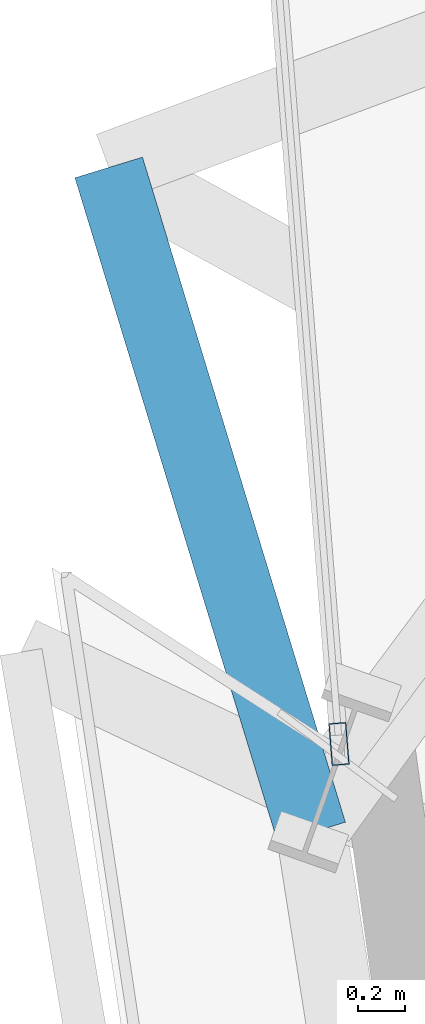
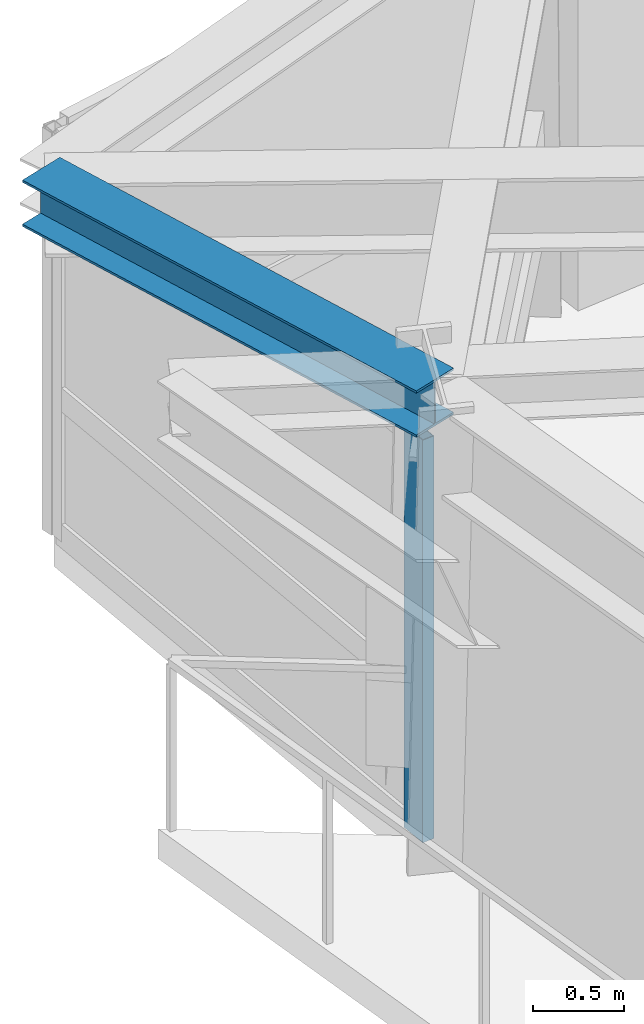
# One storey, part 6 of 18: 1 beam, 1 member, 1 element without a shape of its own.
"""IFC4 building model written with IfcOpenShell, lengths in metres."""

from ifc_helpers import new_model, si_unit, direction, frame, origin, origin_2d, place, context, subcontext, project, spatial, hollow_rectangle, i_section, extrude, source, transform, mapped, material, material_profile, profile_set, type_object, element, aggregate, save


model = new_model("IFC4")

# Units and contexts
model_context = context("Model", 3, precision=1e-05, world=origin(), true_north=direction((0.0, 1.0)))
body_context = subcontext(model_context, "Body", "Model", "MODEL_VIEW")
ifc_project = project(units=[si_unit("LENGTHUNIT", "METRE"), si_unit("AREAUNIT", "SQUARE_METRE"), si_unit("VOLUMEUNIT", "CUBIC_METRE"), si_unit("PLANEANGLEUNIT", "RADIAN"), si_unit("MASSUNIT", "GRAM", prefix="KILO")], contexts=[model_context])

# Site, building, storey
site_placement = place(None, origin())
site = spatial("IfcSite", under=ifc_project, at=site_placement, CompositionType="ELEMENT")
building_placement = place(site_placement, origin())
building = spatial("IfcBuilding", under=site, at=building_placement, Name="Olszyna Solenne Hotel", CompositionType="ELEMENT")
storey_placement = place(building_placement, frame((0.0, 0.0, 119.89990234375)))
storey = spatial("IfcBuildingStorey", under=building, at=storey_placement, Name="L31", CompositionType="ELEMENT", Elevation=119.89990234375)

# Beam
ifc_material_1 = material(Name="Steel S355J2", Category="steel")
ifc_material_profile_1 = material_profile(ifc_material_1, i_section(OverallWidth=0.300048828125, OverallDepth=0.31005859375, WebThickness=0.009033203125, FlangeThickness=0.015380859375, at=origin_2d()), Name="HEA 320", Category="load-bearing")
ifc_profile_set_1 = profile_set([ifc_material_profile_1], Name="Steel S355J2")
beam_type = type_object("IfcBeamType", Name="BM-G3", PredefinedType="BEAM", material=ifc_profile_set_1)
shared_shape_1 = source(origin(), body_context, "Body", "SweptSolid", [
    extrude(i_section(OverallWidth=0.300048828125, OverallDepth=0.31005859375, WebThickness=0.009033203125, FlangeThickness=0.015380859375, at=origin_2d()), origin(), (0.0, 0.0, 1.0), 2.95166015625),
])
beam_placement = place(storey_placement, frame((15.970703125, 36.841552734375, 3.14501953125), z_axis=(-0.29180664309, 0.956477330128, 0.0), x_axis=(-0.956477330128, -0.29180664309, 0.0)))
element("IfcBeam", 1, at=beam_placement, inside=storey, type_object=beam_type, Name="Prism side edge beam BM-G3 B-L31-0949", PredefinedType="BEAM", context=body_context, shape_type="MappedRepresentation", body=[
    mapped(shared_shape_1, transform((0.0, 0.0, 0.0), x_axis=(1.0, 0.0, 0.0), y_axis=(0.0, 1.0, 0.0), z_axis=(0.0, 0.0, 1.0), scale=1.0)),
])

# Curtain wall, member
ifc_material_2 = material(Name="Anodised bronze aluminium", Category="aluminium")
curtain_wall_type = type_object("IfcCurtainWallType", Name="CW-SYS-5", PredefinedType="NOTDEFINED", material=ifc_material_2)
curtain_wall_placement = place(storey_placement, origin())
curtain_wall = element("IfcCurtainWall", 2, at=curtain_wall_placement, inside=storey, type_object=curtain_wall_type, Name="Unitised curtain wall CW-SYS-5 CW-L31-02", PredefinedType="NOTDEFINED")
ifc_material_profile_2 = material_profile(ifc_material_2, hollow_rectangle(XDim=0.074951171875, YDim=0.179931640625, WallThickness=0.00439453125, at=origin_2d()), Name="MULL 180x75x4.5", Category="load-bearing")
ifc_profile_set_2 = profile_set([ifc_material_profile_2], Name="Anodised bronze aluminium")
member_type = type_object("IfcMemberType", Name="CW-M2", PredefinedType="MULLION", material=ifc_profile_set_2)
shared_shape_2 = source(origin(), body_context, "Body", "SweptSolid", [
    extrude(hollow_rectangle(XDim=0.074951171875, YDim=0.179931640625, WallThickness=0.00439453125, at=origin_2d()), origin(), (0.0, 0.0, 1.0), 2.692138671875),
])
member_placement = place(storey_placement, frame((16.0869140625, 37.217529296875, 0.0), z_axis=(0.0, 0.0, 1.0), x_axis=(0.996830162696, 0.079558951352, 0.0)))
member = element("IfcMember", 3, at=member_placement, type_object=member_type, Name="Curtain-wall mullion CW-M2 CM-L31-02-02", PredefinedType="MULLION", context=body_context, shape_type="MappedRepresentation", body=[
    mapped(shared_shape_2, transform((0.0, 0.0, 0.0), x_axis=(1.0, 0.0, 0.0), y_axis=(0.0, 1.0, 0.0), z_axis=(0.0, 0.0, 1.0), scale=1.0)),
])
aggregate(curtain_wall, [member])

save(model, "model.ifc")
